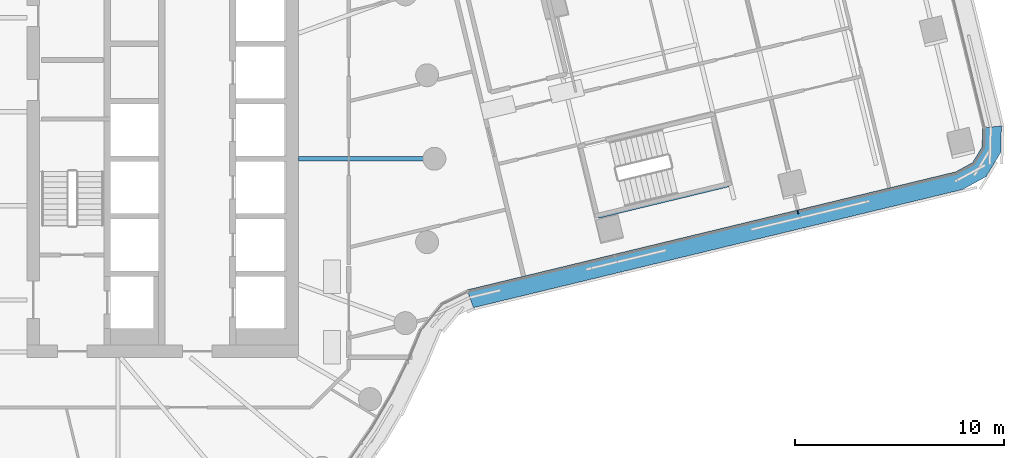
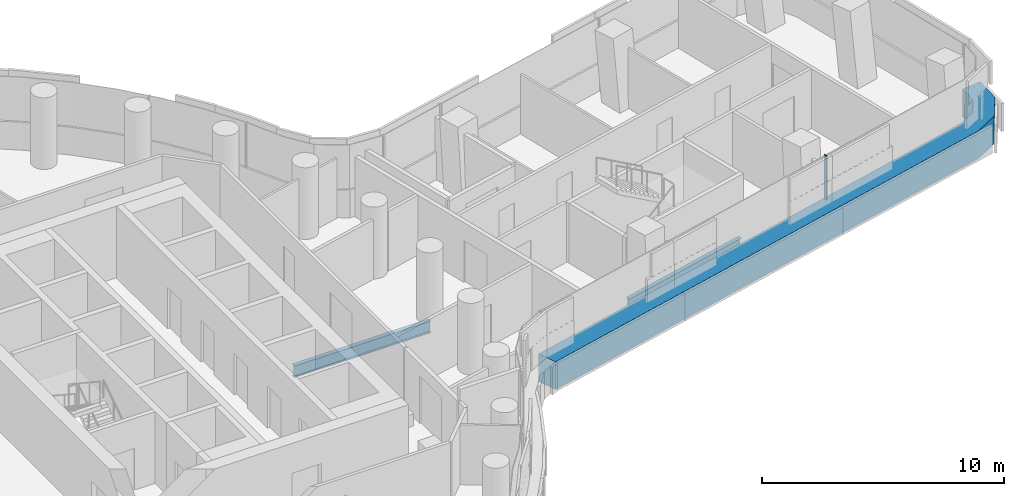
# One storey, part 10 of 33: 2 beams, 2 members, 1 element without a shape of its own.
"""IFC4 building model written with IfcOpenShell, lengths in metres."""

from ifc_helpers import new_model, si_unit, direction, frame, origin, origin_2d, place, context, subcontext, project, spatial, polyline, rectangle, i_section, outline, extrude, material, layer, layer_set, material_profile, profile_set, type_object, element, aggregate, save


model = new_model("IFC4")

# Units and contexts
model_context = context("Model", 3, precision=1e-05, world=origin(), true_north=direction((0.0, 1.0)))
body_context = subcontext(model_context, "Body", "Model", "MODEL_VIEW")
ifc_project = project(units=[si_unit("LENGTHUNIT", "METRE"), si_unit("AREAUNIT", "SQUARE_METRE"), si_unit("VOLUMEUNIT", "CUBIC_METRE"), si_unit("PLANEANGLEUNIT", "RADIAN"), si_unit("MASSUNIT", "GRAM", prefix="KILO")], contexts=[model_context])

# Site, building, storey
site_placement = place(None, origin())
site = spatial("IfcSite", under=ifc_project, at=site_placement, CompositionType="ELEMENT")
building_placement = place(site_placement, origin())
building = spatial("IfcBuilding", under=site, at=building_placement, Name="Tamarind Cross Interchange Tower", CompositionType="ELEMENT")
storey_placement = place(building_placement, frame((0.0, 0.0, 83.5)))
storey = spatial("IfcBuildingStorey", under=building, at=storey_placement, Name="L19", CompositionType="ELEMENT", Elevation=83.5)

# Beams
ifc_material_1 = material(Name="Steel Q355B", Category="steel")
ifc_material_profile_1 = material_profile(ifc_material_1, i_section(OverallWidth=0.198974609375, OverallDepth=0.49609375, WebThickness=0.009033203125, FlangeThickness=0.013916015625, FilletRadius=0.012939453125, at=origin_2d()), Name="HN 496x199x9x14")
ifc_profile_set_1 = profile_set([ifc_material_profile_1], Name="Steel Q355B")
beam_type_1 = type_object("IfcBeamType", Name="Composite beam HN 496x199x9x14 Q355B", PredefinedType="BEAM", material=ifc_profile_set_1)
beam_1_placement = place(storey_placement, frame((30.84326171875, -2.750244140625, -0.387939453125), z_axis=(0.972026374866, 0.234871723639, 0.0), x_axis=(-0.234871723639, 0.972026374866, 0.0)))
element("IfcBeam", 1, at=beam_1_placement, inside=storey, type_object=beam_type_1, Name="Beam E-tr0", PredefinedType="BEAM", context=body_context, shape_type="SweptSolid", body=[
    extrude(i_section(OverallWidth=0.198974609375, OverallDepth=0.49609375, WebThickness=0.009033203125, FlangeThickness=0.013916015625, FilletRadius=0.012939453125, at=origin_2d()), origin(), (0.0, 0.0, 1.0), 6.39990234375),
])
ifc_material_profile_2 = material_profile(ifc_material_1, i_section(OverallWidth=0.198974609375, OverallDepth=0.595947265625, WebThickness=0.010009765625, FlangeThickness=0.014892578125, FilletRadius=0.012939453125, at=origin_2d()), Name="HN 596x199x10x15")
ifc_profile_set_2 = profile_set([ifc_material_profile_2], Name="Steel Q355B")
beam_type_2 = type_object("IfcBeamType", Name="Composite beam HN 596x199x10x15 Q355B", PredefinedType="BEAM", material=ifc_profile_set_2)
beam_2_placement = place(storey_placement, frame((23.0, 0.0, -0.43798828125), z_axis=(-1.0, 0.0, 0.0), x_axis=(0.0, -1.0, 0.0)))
element("IfcBeam", 2, at=beam_2_placement, inside=storey, type_object=beam_type_2, Name="Beam HH00", PredefinedType="BEAM", context=body_context, shape_type="SweptSolid", body=[
    extrude(i_section(OverallWidth=0.198974609375, OverallDepth=0.595947265625, WebThickness=0.010009765625, FlangeThickness=0.014892578125, FilletRadius=0.012939453125, at=origin_2d()), origin(), (0.0, 0.0, 1.0), 6.5),
])

# Curtain wall, members
ifc_material_2 = material(Name="Aluminium 6063-T6", Category="aluminium")
ifc_layer = layer(ifc_material_2, 0.159912109375)
ifc_layer_set = layer_set([ifc_layer], Name="Aluminium 6063-T6")
curtain_wall_type = type_object("IfcCurtainWallType", Name="Office curtain wall, 9.0 m bays", PredefinedType="NOTDEFINED", material=ifc_layer_set)
curtain_wall_placement = place(storey_placement, origin())
curtain_wall = element("IfcCurtainWall", 3, at=curtain_wall_placement, inside=storey, type_object=curtain_wall_type, Name="CWS-L19-11", PredefinedType="NOTDEFINED")
ifc_material_3 = material(Name="Aluminium and insulated spandrel panel", Category="aluminium")
member_type_1 = type_object("IfcMemberType", Name="Floor-edge blade transom", PredefinedType="USERDEFINED", material=ifc_material_3)
member_1_placement = place(storey_placement, origin())
member_1 = element("IfcMember", 4, at=member_1_placement, type_object=member_type_1, Name="CWT-L19-11", ObjectType="TRANSOM", PredefinedType="USERDEFINED", context=body_context, shape_type="SweptSolid", body=[
    extrude(outline(polyline([(24.56298828125, -6.2734375), (47.945068359375, -0.62451171875), (48.7490234375, -0.1865234375), (49.204833984375, 0.559814453125), (49.2275390625, 1.474853515625), (50.130126953125, 1.571044921875), (50.0986328125, 0.29638671875), (49.391357421875, -0.861328125), (48.271728515625, -1.471435546875), (24.870361328125, -7.125244140625), (24.56298828125, -6.2734375)])), origin(), (0.0, 0.0, 1.0), 1.39990234375),
])
ifc_material_profile_3 = material_profile(ifc_material_2, rectangle(XDim=0.06005859375, YDim=0.159912109375, at=origin_2d()), Name="Mullion CW1")
ifc_profile_set_3 = profile_set([ifc_material_profile_3], Name="Aluminium 6063-T6")
member_type_2 = type_object("IfcMemberType", Name="Mullion CW1", PredefinedType="MULLION", material=ifc_profile_set_3)
member_2_placement = place(storey_placement, frame((40.388916015625, -2.552978515625, 1.39990234375), z_axis=(0.0, 0.0, 1.0), x_axis=(0.972033185193, 0.234843537027, 0.0)))
member_2 = element("IfcMember", 5, at=member_2_placement, type_object=member_type_2, Name="CWM-L19-11-02", PredefinedType="MULLION", context=body_context, shape_type="SweptSolid", body=[
    extrude(rectangle(XDim=0.06005859375, YDim=0.159912109375, at=origin_2d()), origin(), (0.0, 0.0, 1.0), 2.210205078125),
])
aggregate(curtain_wall, [member_2, member_1])

save(model, "model.ifc")
